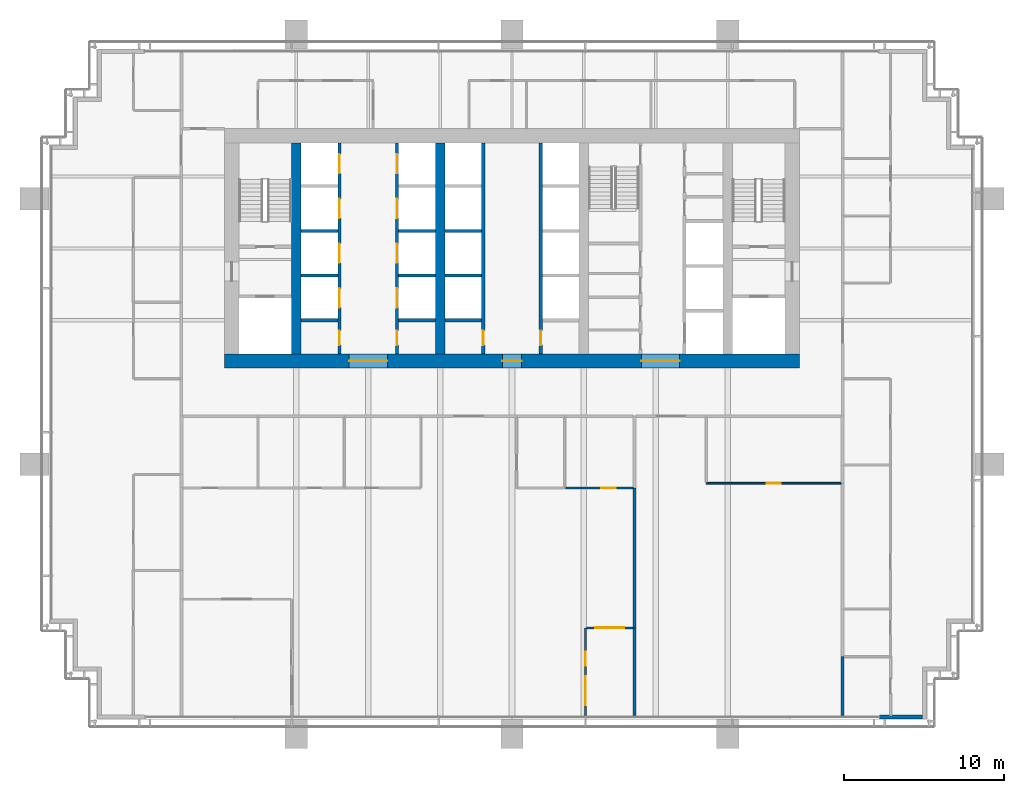
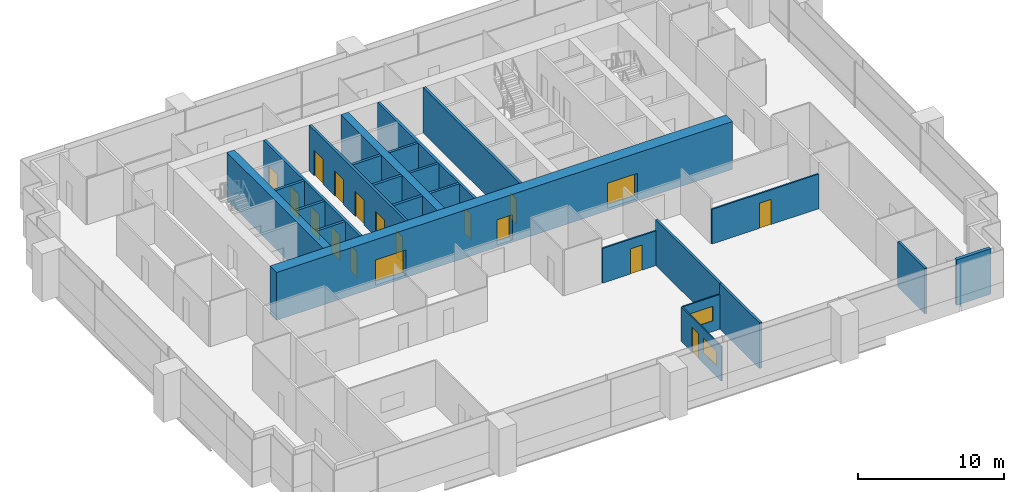
# One storey, part 11 of 18: 24 walls, 18 doors, 2 windows, 20 openings.
"""IFC4 building model written with IfcOpenShell, lengths in metres."""

from ifc_helpers import new_model, si_unit, direction, frame, frame_2d, origin, place, context, subcontext, project, spatial, rectangle, extrude, material, layer, layer_set, type_object, element, fill, save


model = new_model("IFC4")

# Units and contexts
model_context = context("Model", 3, precision=1e-05, world=origin(), true_north=direction((0.0, 1.0)))
body_context = subcontext(model_context, "Body", "Model", "MODEL_VIEW")
ifc_project = project(units=[si_unit("LENGTHUNIT", "METRE"), si_unit("AREAUNIT", "SQUARE_METRE"), si_unit("VOLUMEUNIT", "CUBIC_METRE"), si_unit("PLANEANGLEUNIT", "RADIAN"), si_unit("MASSUNIT", "GRAM", prefix="KILO")], contexts=[model_context])

# Site, building, storey
site_placement = place(None, origin())
site = spatial("IfcSite", under=ifc_project, at=site_placement, CompositionType="ELEMENT")
building_placement = place(site_placement, origin())
building = spatial("IfcBuilding", under=site, at=building_placement, Name="Rattan Terrace Tower", CompositionType="ELEMENT")
storey_placement = place(building_placement, frame((0.0, 0.0, 134.10009765625)))
storey = spatial("IfcBuildingStorey", under=building, at=storey_placement, Name="L30", CompositionType="ELEMENT", Elevation=134.10009765625)

# Wall, openings, doors
ifc_material_1 = material(Name="Concrete C60/75", Category="concrete")
ifc_layer_1 = layer(ifc_material_1, 0.89990234375)
ifc_layer_set_1 = layer_set([ifc_layer_1], Name="Core ring wall 900 C60/75")
wall_type_1 = type_object("IfcWallType", Name="Core ring wall 900 C60/75", PredefinedType="SHEAR", material=ifc_layer_set_1)
wall_1_placement = place(storey_placement, frame((-18.0, -7.050048828125, -0.2001953125), z_axis=(0.0, 0.0, 1.0), x_axis=(1.0, 0.0, 0.0)))
wall_1 = element("IfcWall", 1, at=wall_1_placement, inside=storey, type_object=wall_type_1, Name="Rear core wall south", PredefinedType="SHEAR", context=body_context, shape_type="SweptSolid", body=[
    extrude(rectangle(XDim=36.0, YDim=0.89990234375, at=frame_2d((18.0, 0.0))), origin(), (0.0, 0.0, 1.0), 4.0),
])
opening_1_placement = place(wall_1_placement, frame((7.800048828125, 0.0, 0.199951171875)))
opening_1 = element("IfcOpeningElement", 2, at=opening_1_placement, cuts=wall_1, Name="Opening L30-D007", PredefinedType="OPENING", context=body_context, shape_type="SweptSolid", body=[
    extrude(rectangle(XDim=2.39990234375, YDim=2.10009765625, at=frame_2d((1.199951171875, 1.050048828125))), frame((0.0, 0.46044921875, 0.0), z_axis=(0.0, -1.0, 0.0), x_axis=(1.0, 0.0, 0.0)), (0.0, 0.0, 1.0), 0.9208984375),
])
opening_2_placement = place(wall_1_placement, frame((17.39990234375, 0.0, 0.199951171875)))
opening_2 = element("IfcOpeningElement", 3, at=opening_2_placement, cuts=wall_1, Name="Opening L30-D010", PredefinedType="OPENING", context=body_context, shape_type="SweptSolid", body=[
    extrude(rectangle(XDim=1.199951171875, YDim=2.10009765625, at=frame_2d((0.60009765625, 1.050048828125))), frame((0.0, 0.46044921875, 0.0), z_axis=(0.0, -1.0, 0.0), x_axis=(1.0, 0.0, 0.0)), (0.0, 0.0, 1.0), 0.9208984375),
])
opening_3_placement = place(wall_1_placement, frame((26.10009765625, 0.0, 0.199951171875)))
opening_3 = element("IfcOpeningElement", 4, at=opening_3_placement, cuts=wall_1, Name="Opening L30-D016", PredefinedType="OPENING", context=body_context, shape_type="SweptSolid", body=[
    extrude(rectangle(XDim=2.39990234375, YDim=2.10009765625, at=frame_2d((1.199951171875, 1.050048828125))), frame((0.0, 0.46044921875, 0.0), z_axis=(0.0, -1.0, 0.0), x_axis=(1.0, 0.0, 0.0)), (0.0, 0.0, 1.0), 0.9208984375),
])
ifc_material_2 = material(Name="Hollow-metal fire door leaf")
door_type_1 = type_object("IfcDoorType", Name="Core lift lobby door 2400", OperationType="NOTDEFINED", PredefinedType="DOOR", material=ifc_material_2)
door_1_placement = place(opening_1_placement, origin())
door_1 = element("IfcDoor", 5, at=door_1_placement, inside=storey, type_object=door_type_1, Name="Door L30-D007", OperationType="DOUBLE_DOOR_DOUBLE_SWING", OverallHeight=2.10009765625, OverallWidth=2.39990234375, PredefinedType="DOOR", context=body_context, shape_type="SweptSolid", body=[
    extrude(rectangle(XDim=2.39990234375, YDim=2.10009765625, at=frame_2d((1.199951171875, 1.050048828125))), frame((0.0, 0.02490234375, 0.0), z_axis=(0.0, -1.0, 0.0), x_axis=(1.0, 0.0, 0.0)), (0.0, 0.0, 1.0), 0.050048828125),
])
fill(opening_1, door_1)
door_2_placement = place(opening_3_placement, origin())
door_2 = element("IfcDoor", 6, at=door_2_placement, inside=storey, type_object=door_type_1, Name="Door L30-D016", OperationType="DOUBLE_DOOR_DOUBLE_SWING", OverallHeight=2.10009765625, OverallWidth=2.39990234375, PredefinedType="DOOR", context=body_context, shape_type="SweptSolid", body=[
    extrude(rectangle(XDim=2.39990234375, YDim=2.10009765625, at=frame_2d((1.199951171875, 1.050048828125))), frame((0.0, 0.02490234375, 0.0), z_axis=(0.0, -1.0, 0.0), x_axis=(1.0, 0.0, 0.0)), (0.0, 0.0, 1.0), 0.050048828125),
])
fill(opening_3, door_2)
ifc_material_3 = material(Name="Hollow-metal fire door leaf")
door_type_2 = type_object("IfcDoorType", Name="Core riser door 1200", OperationType="NOTDEFINED", PredefinedType="DOOR", material=ifc_material_3)
door_3_placement = place(opening_2_placement, origin())
door_3 = element("IfcDoor", 7, at=door_3_placement, inside=storey, type_object=door_type_2, Name="Door L30-D010", OperationType="SINGLE_SWING_LEFT", OverallHeight=2.10009765625, OverallWidth=1.199951171875, PredefinedType="DOOR", context=body_context, shape_type="SweptSolid", body=[
    extrude(rectangle(XDim=1.199951171875, YDim=2.10009765625, at=frame_2d((0.60009765625, 1.050048828125))), frame((0.0, 0.02490234375, 0.0), z_axis=(0.0, -1.0, 0.0), x_axis=(1.0, 0.0, 0.0)), (0.0, 0.0, 1.0), 0.050048828125),
])
fill(opening_2, door_3)

# Walls
ifc_material_4 = material(Name="Concrete C60/75", Category="concrete")
ifc_layer_2 = layer(ifc_material_4, 0.60009765625)
ifc_layer_set_2 = layer_set([ifc_layer_2], Name="Core spine wall 600 C60/75")
wall_type_2 = type_object("IfcWallType", Name="Core spine wall 600 C60/75", PredefinedType="SHEAR", material=ifc_layer_set_2)
for number, where, z_axis, x_axis, name in (
    (8, (-13.5, -6.60009765625, -0.2001953125), (0.0, 0.0, 1.0), (0.0, 1.0, 0.0), "Core spine wall 1"),
    (9, (-4.5, -6.60009765625, -0.2001953125), (0.0, 0.0, 1.0), (0.0, 1.0, 0.0), "Core spine wall 2"),
):
    element("IfcWall", number, at=place(storey_placement, frame(where, z_axis=z_axis, x_axis=x_axis)), inside=storey, type_object=wall_type_2, Name=name, PredefinedType="SHEAR", context=body_context, shape_type="SweptSolid", body=[
        extrude(rectangle(XDim=13.2001953125, YDim=0.60009765625, at=frame_2d((6.60009765625, 0.0))), origin(), (0.0, 0.0, 1.0), 4.0),
    ])
ifc_material_5 = material(Name="Insulated aluminium-clad stud wall", Category="aluminium")
ifc_layer_3 = layer(ifc_material_5, 0.25)
ifc_layer_set_3 = layer_set([ifc_layer_3], Name="Facade Riser Wall 250")
wall_type_3 = type_object("IfcWallType", Name="Facade Riser Wall 250", PredefinedType="SOLIDWALL", material=ifc_layer_set_3)
wall_2_placement = place(storey_placement, frame((23.0, -29.330078125, 0.0), z_axis=(0.0, 0.0, 1.0), x_axis=(1.0, 0.0, 0.0)))
element("IfcWall", 10, at=wall_2_placement, inside=storey, type_object=wall_type_3, Name="Riser wall L30-1", PredefinedType="SOLIDWALL", context=body_context, shape_type="SweptSolid", body=[
    extrude(rectangle(XDim=2.705078125, YDim=0.25, at=frame_2d((1.3525390625, 0.0))), origin(), (0.0, 0.0, 1.0), 3.7998046875),
])
ifc_material_6 = material(Name="Double steel stud acoustic partition, gypsum board, mineral wool, fire rated", Category="steel")
ifc_layer_4 = layer(ifc_material_6, 0.179931640625)
ifc_layer_set_4 = layer_set([ifc_layer_4], Name="Floors Acoustic Party Wall 180")
wall_type_4 = type_object("IfcWallType", Name="Floors Acoustic Party Wall 180", PredefinedType="PARTITIONING", material=ifc_layer_set_4)
wall_3_placement = place(storey_placement, frame((7.6669921875, -15.0, 0.0), z_axis=(0.0, 0.0, 1.0), x_axis=(0.0, -1.0, 0.0)))
element("IfcWall", 11, at=wall_3_placement, inside=storey, type_object=wall_type_4, Name="pt-L30-049", PredefinedType="PARTITIONING", context=body_context, shape_type="SweptSolid", body=[
    extrude(rectangle(XDim=8.760009765625, YDim=0.179931640625, at=frame_2d((4.3798828125, 0.0))), origin(), (0.0, 0.0, 1.0), 3.7998046875),
])
wall_4_placement = place(storey_placement, frame((7.6669921875, -23.760009765625, 0.0), z_axis=(0.0, 0.0, 1.0), x_axis=(0.0, -1.0, 0.0)))
element("IfcWall", 12, at=wall_4_placement, inside=storey, type_object=wall_type_4, Name="pt-L30-050", PredefinedType="PARTITIONING", context=body_context, shape_type="SweptSolid", body=[
    extrude(rectangle(XDim=5.47998046875, YDim=0.179931640625, at=frame_2d((2.739990234375, 0.0))), origin(), (0.0, 0.0, 1.0), 3.7998046875),
])
wall_5_placement = place(storey_placement, frame((20.699951171875, -25.5400390625, 0.0), z_axis=(0.0, 0.0, 1.0), x_axis=(0.0, -1.0, 0.0)))
element("IfcWall", 13, at=wall_5_placement, inside=storey, type_object=wall_type_4, Name="pt-L30-057", PredefinedType="PARTITIONING", context=body_context, shape_type="SweptSolid", body=[
    extrude(rectangle(XDim=3.699951171875, YDim=0.179931640625, at=frame_2d((1.85009765625, 0.0))), origin(), (0.0, 0.0, 1.0), 3.7998046875),
])

# Wall, openings, door, window
ifc_material_7 = material(Name="Gypsum board partition on steel studs", Category="steel")
ifc_layer_5 = layer(ifc_material_7, 0.10009765625)
ifc_layer_set_5 = layer_set([ifc_layer_5], Name="Floors Partition 100")
wall_type_5 = type_object("IfcWallType", Name="Floors Partition 100", PredefinedType="PARTITIONING", material=ifc_layer_set_5)
wall_6_placement = place(storey_placement, frame((4.60009765625, -23.760009765625, 0.0), z_axis=(0.0, 0.0, 1.0), x_axis=(0.0, -1.0, 0.0)))
wall_6 = element("IfcWall", 14, at=wall_6_placement, inside=storey, type_object=wall_type_5, Name="pt-L30-038", PredefinedType="PARTITIONING", context=body_context, shape_type="SweptSolid", body=[
    extrude(rectangle(XDim=5.47998046875, YDim=0.10009765625, at=frame_2d((2.739990234375, 0.0))), origin(), (0.0, 0.0, 1.0), 2.89990234375),
])
opening_4_placement = place(wall_6_placement, frame((1.47412109375, 0.0, 0.0)))
opening_4 = element("IfcOpeningElement", 15, at=opening_4_placement, cuts=wall_6, Name="Opening L30-D107", PredefinedType="OPENING", context=body_context, shape_type="SweptSolid", body=[
    extrude(rectangle(XDim=0.89990234375, YDim=2.10009765625, at=frame_2d((0.449951171875, 1.050048828125))), frame((0.0, 0.060546875, 0.0), z_axis=(0.0, -1.0, 0.0), x_axis=(1.0, 0.0, 0.0)), (0.0, 0.0, 1.0), 0.12109375),
])
opening_5_placement = place(wall_6_placement, frame((3.027099609375, 0.0, 0.89990234375)))
opening_5 = element("IfcOpeningElement", 16, at=opening_5_placement, cuts=wall_6, Name="Opening L30-W100", PredefinedType="OPENING", context=body_context, shape_type="SweptSolid", body=[
    extrude(rectangle(XDim=1.800048828125, YDim=1.199951171875, at=frame_2d((0.89990234375, 0.60009765625))), frame((0.0, 0.060546875, 0.0), z_axis=(0.0, -1.0, 0.0), x_axis=(1.0, 0.0, 0.0)), (0.0, 0.0, 1.0), 0.12109375),
])
ifc_material_8 = material(Name="Solid core timber door, painted", Category="wood")
door_type_3 = type_object("IfcDoorType", Name="Floors Door 900x2100", OperationType="NOTDEFINED", PredefinedType="DOOR", material=ifc_material_8)
door_4_placement = place(opening_4_placement, origin())
door_4 = element("IfcDoor", 17, at=door_4_placement, inside=storey, type_object=door_type_3, Name="d-L30-107", OperationType="SINGLE_SWING_LEFT", OverallHeight=2.10009765625, OverallWidth=0.89990234375, PredefinedType="DOOR", context=body_context, shape_type="SweptSolid", body=[
    extrude(rectangle(XDim=0.89990234375, YDim=2.10009765625, at=frame_2d((0.449951171875, 1.050048828125))), frame((0.0, 0.02490234375, 0.0), z_axis=(0.0, -1.0, 0.0), x_axis=(1.0, 0.0, 0.0)), (0.0, 0.0, 1.0), 0.050048828125),
])
fill(opening_4, door_4)
ifc_material_9 = material(Name="Glass, clear, fixed in aluminium frame", Category="aluminium")
window_type = type_object("IfcWindowType", Name="Interior Vision Window 1800x1200", PartitioningType="SINGLE_PANEL", PredefinedType="WINDOW", material=ifc_material_9)
window_1_placement = place(opening_5_placement, origin())
window_1 = element("IfcWindow", 18, at=window_1_placement, inside=storey, type_object=window_type, Name="w-L30-100", OverallHeight=1.199951171875, OverallWidth=1.800048828125, PartitioningType="SINGLE_PANEL", PredefinedType="WINDOW", context=body_context, shape_type="SweptSolid", body=[
    extrude(rectangle(XDim=1.800048828125, YDim=1.199951171875, at=frame_2d((0.89990234375, 0.60009765625))), frame((0.0, 0.030029296875, 0.0), z_axis=(0.0, -1.0, 0.0), x_axis=(1.0, 0.0, 0.0)), (0.0, 0.0, 1.0), 0.06005859375),
])
fill(opening_5, window_1)

# Wall, opening, window
wall_7_placement = place(storey_placement, frame((7.576904296875, -23.760009765625, 0.0), z_axis=(0.0, 0.0, 1.0), x_axis=(-1.0, 0.0, 0.0)))
wall_7 = element("IfcWall", 19, at=wall_7_placement, inside=storey, type_object=wall_type_5, Name="pt-L30-039", PredefinedType="PARTITIONING", context=body_context, shape_type="SweptSolid", body=[
    extrude(rectangle(XDim=2.927001953125, YDim=0.10009765625, at=frame_2d((1.46337890625, 0.0))), origin(), (0.0, 0.0, 1.0), 2.89990234375),
])
opening_6_placement = place(wall_7_placement, frame((0.56396484375, 0.0, 0.89990234375)))
opening_6 = element("IfcOpeningElement", 20, at=opening_6_placement, cuts=wall_7, Name="Opening L30-W101", PredefinedType="OPENING", context=body_context, shape_type="SweptSolid", body=[
    extrude(rectangle(XDim=1.800048828125, YDim=1.199951171875, at=frame_2d((0.89990234375, 0.60009765625))), frame((0.0, 0.060546875, 0.0), z_axis=(0.0, -1.0, 0.0), x_axis=(1.0, 0.0, 0.0)), (0.0, 0.0, 1.0), 0.12109375),
])
window_2_placement = place(opening_6_placement, origin())
window_2 = element("IfcWindow", 21, at=window_2_placement, inside=storey, type_object=window_type, Name="w-L30-101", OverallHeight=1.199951171875, OverallWidth=1.800048828125, PartitioningType="SINGLE_PANEL", PredefinedType="WINDOW", context=body_context, shape_type="SweptSolid", body=[
    extrude(rectangle(XDim=1.800048828125, YDim=1.199951171875, at=frame_2d((0.89990234375, 0.60009765625))), frame((0.0, 0.030029296875, 0.0), z_axis=(0.0, -1.0, 0.0), x_axis=(1.0, 0.0, 0.0)), (0.0, 0.0, 1.0), 0.06005859375),
])
fill(opening_6, window_2)

# Wall, opening, door
ifc_material_10 = material(Name="Moisture resistant gypsum board partition on steel studs with service cavity", Category="steel")
ifc_layer_6 = layer(ifc_material_10, 0.1201171875)
ifc_layer_set_6 = layer_set([ifc_layer_6], Name="Floors Wet Wall 120")
wall_type_6 = type_object("IfcWallType", Name="Floors Wet Wall 120", PredefinedType="PARTITIONING", material=ifc_layer_set_6)
wall_8_placement = place(storey_placement, frame((3.360107421875, -15.0, 0.0), z_axis=(0.0, 0.0, 1.0), x_axis=(1.0, 0.0, 0.0)))
wall_8 = element("IfcWall", 22, at=wall_8_placement, inside=storey, type_object=wall_type_6, Name="pt-L30-048", PredefinedType="PARTITIONING", context=body_context, shape_type="SweptSolid", body=[
    extrude(rectangle(XDim=4.216796875, YDim=0.1201171875, at=frame_2d((2.1083984375, 0.0))), origin(), (0.0, 0.0, 1.0), 2.89990234375),
])
opening_7_placement = place(wall_8_placement, frame((2.221923828125, 0.0, 0.0)))
opening_7 = element("IfcOpeningElement", 23, at=opening_7_placement, cuts=wall_8, Name="Opening L30-D113", PredefinedType="OPENING", context=body_context, shape_type="SweptSolid", body=[
    extrude(rectangle(XDim=0.89990234375, YDim=2.10009765625, at=frame_2d((0.449951171875, 1.050048828125))), frame((0.0, 0.070556640625, 0.0), z_axis=(0.0, -1.0, 0.0), x_axis=(1.0, 0.0, 0.0)), (0.0, 0.0, 1.0), 0.14111328125),
])
door_5_placement = place(opening_7_placement, origin())
door_5 = element("IfcDoor", 24, at=door_5_placement, inside=storey, type_object=door_type_3, Name="d-L30-113", OperationType="SINGLE_SWING_RIGHT", OverallHeight=2.10009765625, OverallWidth=0.89990234375, PredefinedType="DOOR", context=body_context, shape_type="SweptSolid", body=[
    extrude(rectangle(XDim=0.89990234375, YDim=2.10009765625, at=frame_2d((0.449951171875, 1.050048828125))), frame((0.0, 0.02490234375, 0.0), z_axis=(0.0, -1.0, 0.0), x_axis=(1.0, 0.0, 0.0)), (0.0, 0.0, 1.0), 0.050048828125),
])
fill(opening_7, door_5)

wall_9_placement = place(storey_placement, frame((12.1669921875, -14.699951171875, 0.0), z_axis=(0.0, 0.0, 1.0), x_axis=(1.0, 0.0, 0.0)))
wall_9 = element("IfcWall", 25, at=wall_9_placement, inside=storey, type_object=wall_type_6, Name="pt-L30-056", PredefinedType="PARTITIONING", context=body_context, shape_type="SweptSolid", body=[
    extrude(rectangle(XDim=8.443115234375, YDim=0.1201171875, at=frame_2d((4.2216796875, 0.0))), origin(), (0.0, 0.0, 1.0), 2.89990234375),
])
opening_8_placement = place(wall_9_placement, frame((3.77099609375, 0.0, 0.0)))
opening_8 = element("IfcOpeningElement", 26, at=opening_8_placement, cuts=wall_9, Name="Opening L30-D115", PredefinedType="OPENING", context=body_context, shape_type="SweptSolid", body=[
    extrude(rectangle(XDim=0.89990234375, YDim=2.10009765625, at=frame_2d((0.449951171875, 1.050048828125))), frame((0.0, 0.070556640625, 0.0), z_axis=(0.0, -1.0, 0.0), x_axis=(1.0, 0.0, 0.0)), (0.0, 0.0, 1.0), 0.14111328125),
])
door_6_placement = place(opening_8_placement, origin())
door_6 = element("IfcDoor", 27, at=door_6_placement, inside=storey, type_object=door_type_3, Name="d-L30-115", OperationType="SINGLE_SWING_RIGHT", OverallHeight=2.10009765625, OverallWidth=0.89990234375, PredefinedType="DOOR", context=body_context, shape_type="SweptSolid", body=[
    extrude(rectangle(XDim=0.89990234375, YDim=2.10009765625, at=frame_2d((0.449951171875, 1.050048828125))), frame((0.0, 0.02490234375, 0.0), z_axis=(0.0, -1.0, 0.0), x_axis=(1.0, 0.0, 0.0)), (0.0, 0.0, 1.0), 0.050048828125),
])
fill(opening_8, door_6)

# Wall, openings, doors
ifc_material_11 = material(Name="Gypsum shaft wall system")
ifc_layer_7 = layer(ifc_material_11, 0.199951171875)
ifc_layer_set_7 = layer_set([ifc_layer_7], Name="Lift shaft wall 200")
wall_type_7 = type_object("IfcWallType", Name="Lift shaft wall 200", PredefinedType="PARTITIONING", material=ifc_layer_set_7)
wall_10_placement = place(storey_placement, frame((-10.800048828125, -6.60009765625, 0.0), z_axis=(0.0, 0.0, 1.0), x_axis=(0.0, 1.0, 0.0)))
wall_10 = element("IfcWall", 28, at=wall_10_placement, inside=storey, type_object=wall_type_7, Name="Lift shaft front wall", PredefinedType="PARTITIONING", context=body_context, shape_type="SweptSolid", body=[
    extrude(rectangle(XDim=13.2001953125, YDim=0.199951171875, at=frame_2d((6.60009765625, 0.0))), origin(), (0.0, 0.0, 1.0), 3.7998046875),
])
opening_9_placement = place(wall_10_placement, frame((0.550048828125, 0.0, 0.0)))
opening_9 = element("IfcOpeningElement", 29, at=opening_9_placement, cuts=wall_10, Name="Opening L30-D005", PredefinedType="OPENING", context=body_context, shape_type="SweptSolid", body=[
    extrude(rectangle(XDim=0.89990234375, YDim=2.10009765625, at=frame_2d((0.449951171875, 1.050048828125))), frame((0.0, 0.110595703125, 0.0), z_axis=(0.0, -1.0, 0.0), x_axis=(1.0, 0.0, 0.0)), (0.0, 0.0, 1.0), 0.220947265625),
])
opening_10_placement = place(wall_10_placement, frame((2.89990234375, 0.0, 0.0)))
opening_10 = element("IfcOpeningElement", 30, at=opening_10_placement, cuts=wall_10, Name="Opening L30-LD-LR1", PredefinedType="OPENING", context=body_context, shape_type="SweptSolid", body=[
    extrude(rectangle(XDim=1.199951171875, YDim=2.10009765625, at=frame_2d((0.60009765625, 1.050048828125))), frame((0.0, 0.110595703125, 0.0), z_axis=(0.0, -1.0, 0.0), x_axis=(1.0, 0.0, 0.0)), (0.0, 0.0, 1.0), 0.220947265625),
])
opening_11_placement = place(wall_10_placement, frame((5.699951171875, 0.0, 0.0)))
opening_11 = element("IfcOpeningElement", 31, at=opening_11_placement, cuts=wall_10, Name="Opening L30-LD-LR2", PredefinedType="OPENING", context=body_context, shape_type="SweptSolid", body=[
    extrude(rectangle(XDim=1.199951171875, YDim=2.10009765625, at=frame_2d((0.60009765625, 1.050048828125))), frame((0.0, 0.110595703125, 0.0), z_axis=(0.0, -1.0, 0.0), x_axis=(1.0, 0.0, 0.0)), (0.0, 0.0, 1.0), 0.220947265625),
])
opening_12_placement = place(wall_10_placement, frame((8.5, 0.0, 0.0)))
opening_12 = element("IfcOpeningElement", 32, at=opening_12_placement, cuts=wall_10, Name="Opening L30-LD-LR3", PredefinedType="OPENING", context=body_context, shape_type="SweptSolid", body=[
    extrude(rectangle(XDim=1.199951171875, YDim=2.10009765625, at=frame_2d((0.60009765625, 1.050048828125))), frame((0.0, 0.110595703125, 0.0), z_axis=(0.0, -1.0, 0.0), x_axis=(1.0, 0.0, 0.0)), (0.0, 0.0, 1.0), 0.220947265625),
])
opening_13_placement = place(wall_10_placement, frame((11.300048828125, 0.0, 0.0)))
opening_13 = element("IfcOpeningElement", 33, at=opening_13_placement, cuts=wall_10, Name="Opening L30-LD-LR4", PredefinedType="OPENING", context=body_context, shape_type="SweptSolid", body=[
    extrude(rectangle(XDim=1.199951171875, YDim=2.10009765625, at=frame_2d((0.60009765625, 1.050048828125))), frame((0.0, 0.110595703125, 0.0), z_axis=(0.0, -1.0, 0.0), x_axis=(1.0, 0.0, 0.0)), (0.0, 0.0, 1.0), 0.220947265625),
])
ifc_material_12 = material(Name="Brushed stainless landing door panel")
door_type_4 = type_object("IfcDoorType", Name="Core lift landing door 1200", OperationType="DOUBLE_DOOR_SLIDING", PredefinedType="DOOR", material=ifc_material_12)
door_7_placement = place(opening_10_placement, origin())
door_7 = element("IfcDoor", 34, at=door_7_placement, inside=storey, type_object=door_type_4, Name="Door L30-LD-LR1", OperationType="DOUBLE_DOOR_SLIDING", OverallHeight=2.10009765625, OverallWidth=1.199951171875, PredefinedType="DOOR", context=body_context, shape_type="SweptSolid", body=[
    extrude(rectangle(XDim=1.199951171875, YDim=2.10009765625, at=frame_2d((0.60009765625, 1.050048828125))), frame((0.0, 0.02490234375, 0.0), z_axis=(0.0, -1.0, 0.0), x_axis=(1.0, 0.0, 0.0)), (0.0, 0.0, 1.0), 0.050048828125),
])
fill(opening_10, door_7)
door_8_placement = place(opening_11_placement, origin())
door_8 = element("IfcDoor", 35, at=door_8_placement, inside=storey, type_object=door_type_4, Name="Door L30-LD-LR2", OperationType="DOUBLE_DOOR_SLIDING", OverallHeight=2.10009765625, OverallWidth=1.199951171875, PredefinedType="DOOR", context=body_context, shape_type="SweptSolid", body=[
    extrude(rectangle(XDim=1.199951171875, YDim=2.10009765625, at=frame_2d((0.60009765625, 1.050048828125))), frame((0.0, 0.02490234375, 0.0), z_axis=(0.0, -1.0, 0.0), x_axis=(1.0, 0.0, 0.0)), (0.0, 0.0, 1.0), 0.050048828125),
])
fill(opening_11, door_8)
door_9_placement = place(opening_12_placement, origin())
door_9 = element("IfcDoor", 36, at=door_9_placement, inside=storey, type_object=door_type_4, Name="Door L30-LD-LR3", OperationType="DOUBLE_DOOR_SLIDING", OverallHeight=2.10009765625, OverallWidth=1.199951171875, PredefinedType="DOOR", context=body_context, shape_type="SweptSolid", body=[
    extrude(rectangle(XDim=1.199951171875, YDim=2.10009765625, at=frame_2d((0.60009765625, 1.050048828125))), frame((0.0, 0.02490234375, 0.0), z_axis=(0.0, -1.0, 0.0), x_axis=(1.0, 0.0, 0.0)), (0.0, 0.0, 1.0), 0.050048828125),
])
fill(opening_12, door_9)
door_10_placement = place(opening_13_placement, origin())
door_10 = element("IfcDoor", 37, at=door_10_placement, inside=storey, type_object=door_type_4, Name="Door L30-LD-LR4", OperationType="DOUBLE_DOOR_SLIDING", OverallHeight=2.10009765625, OverallWidth=1.199951171875, PredefinedType="DOOR", context=body_context, shape_type="SweptSolid", body=[
    extrude(rectangle(XDim=1.199951171875, YDim=2.10009765625, at=frame_2d((0.60009765625, 1.050048828125))), frame((0.0, 0.02490234375, 0.0), z_axis=(0.0, -1.0, 0.0), x_axis=(1.0, 0.0, 0.0)), (0.0, 0.0, 1.0), 0.050048828125),
])
fill(opening_13, door_10)
ifc_material_13 = material(Name="Hollow-metal fire door leaf")
door_type_5 = type_object("IfcDoorType", Name="Core riser door 900", OperationType="NOTDEFINED", PredefinedType="DOOR", material=ifc_material_13)
door_11_placement = place(opening_9_placement, origin())
door_11 = element("IfcDoor", 38, at=door_11_placement, inside=storey, type_object=door_type_5, Name="Door L30-D005", OperationType="SINGLE_SWING_LEFT", OverallHeight=2.10009765625, OverallWidth=0.89990234375, PredefinedType="DOOR", context=body_context, shape_type="SweptSolid", body=[
    extrude(rectangle(XDim=0.89990234375, YDim=2.10009765625, at=frame_2d((0.449951171875, 1.050048828125))), frame((0.0, 0.02490234375, 0.0), z_axis=(0.0, -1.0, 0.0), x_axis=(1.0, 0.0, 0.0)), (0.0, 0.0, 1.0), 0.050048828125),
])
fill(opening_9, door_11)

wall_11_placement = place(storey_placement, frame((-7.199951171875, -6.60009765625, 0.0), z_axis=(0.0, 0.0, 1.0), x_axis=(0.0, 1.0, 0.0)))
wall_11 = element("IfcWall", 39, at=wall_11_placement, inside=storey, type_object=wall_type_7, Name="Lift shaft front wall", PredefinedType="PARTITIONING", context=body_context, shape_type="SweptSolid", body=[
    extrude(rectangle(XDim=13.2001953125, YDim=0.199951171875, at=frame_2d((6.60009765625, 0.0))), origin(), (0.0, 0.0, 1.0), 3.7998046875),
])
opening_14_placement = place(wall_11_placement, frame((0.550048828125, 0.0, 0.0)))
opening_14 = element("IfcOpeningElement", 40, at=opening_14_placement, cuts=wall_11, Name="Opening L30-D006", PredefinedType="OPENING", context=body_context, shape_type="SweptSolid", body=[
    extrude(rectangle(XDim=0.89990234375, YDim=2.10009765625, at=frame_2d((0.449951171875, 1.050048828125))), frame((0.0, 0.110595703125, 0.0), z_axis=(0.0, -1.0, 0.0), x_axis=(1.0, 0.0, 0.0)), (0.0, 0.0, 1.0), 0.220947265625),
])
opening_15_placement = place(wall_11_placement, frame((2.89990234375, 0.0, 0.0)))
opening_15 = element("IfcOpeningElement", 41, at=opening_15_placement, cuts=wall_11, Name="Opening L30-LD-LR5", PredefinedType="OPENING", context=body_context, shape_type="SweptSolid", body=[
    extrude(rectangle(XDim=1.199951171875, YDim=2.10009765625, at=frame_2d((0.60009765625, 1.050048828125))), frame((0.0, 0.110595703125, 0.0), z_axis=(0.0, -1.0, 0.0), x_axis=(1.0, 0.0, 0.0)), (0.0, 0.0, 1.0), 0.220947265625),
])
opening_16_placement = place(wall_11_placement, frame((5.699951171875, 0.0, 0.0)))
opening_16 = element("IfcOpeningElement", 42, at=opening_16_placement, cuts=wall_11, Name="Opening L30-LD-LR6", PredefinedType="OPENING", context=body_context, shape_type="SweptSolid", body=[
    extrude(rectangle(XDim=1.199951171875, YDim=2.10009765625, at=frame_2d((0.60009765625, 1.050048828125))), frame((0.0, 0.110595703125, 0.0), z_axis=(0.0, -1.0, 0.0), x_axis=(1.0, 0.0, 0.0)), (0.0, 0.0, 1.0), 0.220947265625),
])
opening_17_placement = place(wall_11_placement, frame((8.5, 0.0, 0.0)))
opening_17 = element("IfcOpeningElement", 43, at=opening_17_placement, cuts=wall_11, Name="Opening L30-LD-LR7", PredefinedType="OPENING", context=body_context, shape_type="SweptSolid", body=[
    extrude(rectangle(XDim=1.199951171875, YDim=2.10009765625, at=frame_2d((0.60009765625, 1.050048828125))), frame((0.0, 0.110595703125, 0.0), z_axis=(0.0, -1.0, 0.0), x_axis=(1.0, 0.0, 0.0)), (0.0, 0.0, 1.0), 0.220947265625),
])
opening_18_placement = place(wall_11_placement, frame((11.300048828125, 0.0, 0.0)))
opening_18 = element("IfcOpeningElement", 44, at=opening_18_placement, cuts=wall_11, Name="Opening L30-LD-LR8", PredefinedType="OPENING", context=body_context, shape_type="SweptSolid", body=[
    extrude(rectangle(XDim=1.199951171875, YDim=2.10009765625, at=frame_2d((0.60009765625, 1.050048828125))), frame((0.0, 0.110595703125, 0.0), z_axis=(0.0, -1.0, 0.0), x_axis=(1.0, 0.0, 0.0)), (0.0, 0.0, 1.0), 0.220947265625),
])
door_12_placement = place(opening_15_placement, origin())
door_12 = element("IfcDoor", 45, at=door_12_placement, inside=storey, type_object=door_type_4, Name="Door L30-LD-LR5", OperationType="DOUBLE_DOOR_SLIDING", OverallHeight=2.10009765625, OverallWidth=1.199951171875, PredefinedType="DOOR", context=body_context, shape_type="SweptSolid", body=[
    extrude(rectangle(XDim=1.199951171875, YDim=2.10009765625, at=frame_2d((0.60009765625, 1.050048828125))), frame((0.0, 0.02490234375, 0.0), z_axis=(0.0, -1.0, 0.0), x_axis=(1.0, 0.0, 0.0)), (0.0, 0.0, 1.0), 0.050048828125),
])
fill(opening_15, door_12)
door_13_placement = place(opening_16_placement, origin())
door_13 = element("IfcDoor", 46, at=door_13_placement, inside=storey, type_object=door_type_4, Name="Door L30-LD-LR6", OperationType="DOUBLE_DOOR_SLIDING", OverallHeight=2.10009765625, OverallWidth=1.199951171875, PredefinedType="DOOR", context=body_context, shape_type="SweptSolid", body=[
    extrude(rectangle(XDim=1.199951171875, YDim=2.10009765625, at=frame_2d((0.60009765625, 1.050048828125))), frame((0.0, 0.02490234375, 0.0), z_axis=(0.0, -1.0, 0.0), x_axis=(1.0, 0.0, 0.0)), (0.0, 0.0, 1.0), 0.050048828125),
])
fill(opening_16, door_13)
door_14_placement = place(opening_17_placement, origin())
door_14 = element("IfcDoor", 47, at=door_14_placement, inside=storey, type_object=door_type_4, Name="Door L30-LD-LR7", OperationType="DOUBLE_DOOR_SLIDING", OverallHeight=2.10009765625, OverallWidth=1.199951171875, PredefinedType="DOOR", context=body_context, shape_type="SweptSolid", body=[
    extrude(rectangle(XDim=1.199951171875, YDim=2.10009765625, at=frame_2d((0.60009765625, 1.050048828125))), frame((0.0, 0.02490234375, 0.0), z_axis=(0.0, -1.0, 0.0), x_axis=(1.0, 0.0, 0.0)), (0.0, 0.0, 1.0), 0.050048828125),
])
fill(opening_17, door_14)
door_15_placement = place(opening_18_placement, origin())
door_15 = element("IfcDoor", 48, at=door_15_placement, inside=storey, type_object=door_type_4, Name="Door L30-LD-LR8", OperationType="DOUBLE_DOOR_SLIDING", OverallHeight=2.10009765625, OverallWidth=1.199951171875, PredefinedType="DOOR", context=body_context, shape_type="SweptSolid", body=[
    extrude(rectangle(XDim=1.199951171875, YDim=2.10009765625, at=frame_2d((0.60009765625, 1.050048828125))), frame((0.0, 0.02490234375, 0.0), z_axis=(0.0, -1.0, 0.0), x_axis=(1.0, 0.0, 0.0)), (0.0, 0.0, 1.0), 0.050048828125),
])
fill(opening_18, door_15)
door_16_placement = place(opening_14_placement, origin())
door_16 = element("IfcDoor", 49, at=door_16_placement, inside=storey, type_object=door_type_5, Name="Door L30-D006", OperationType="SINGLE_SWING_RIGHT", OverallHeight=2.10009765625, OverallWidth=0.89990234375, PredefinedType="DOOR", context=body_context, shape_type="SweptSolid", body=[
    extrude(rectangle(XDim=0.89990234375, YDim=2.10009765625, at=frame_2d((0.449951171875, 1.050048828125))), frame((0.0, 0.02490234375, 0.0), z_axis=(0.0, -1.0, 0.0), x_axis=(1.0, 0.0, 0.0)), (0.0, 0.0, 1.0), 0.050048828125),
])
fill(opening_14, door_16)

# Walls
for number, where, z_axis, x_axis, name in (
    (50, (-13.199951171875, -1.699951171875, 0.0), (0.0, 0.0, 1.0), (1.0, 0.0, 0.0), "Lift shaft wall"),
    (51, (-13.199951171875, 1.10009765625, 0.0), (0.0, 0.0, 1.0), (1.0, 0.0, 0.0), "Lift shaft wall"),
    (52, (-13.199951171875, -4.5, 0.0), (0.0, 0.0, 1.0), (1.0, 0.0, 0.0), "Lift shaft wall"),
    (53, (-7.10009765625, -1.699951171875, 0.0), (0.0, 0.0, 1.0), (1.0, 0.0, 0.0), "Lift shaft wall"),
    (54, (-7.10009765625, 1.10009765625, 0.0), (0.0, 0.0, 1.0), (1.0, 0.0, 0.0), "Lift shaft wall"),
    (55, (-7.10009765625, -4.5, 0.0), (0.0, 0.0, 1.0), (1.0, 0.0, 0.0), "Lift shaft wall"),
):
    element("IfcWall", number, at=place(storey_placement, frame(where, z_axis=z_axis, x_axis=x_axis)), inside=storey, type_object=wall_type_7, Name=name, PredefinedType="PARTITIONING", context=body_context, shape_type="SweptSolid", body=[
        extrude(rectangle(XDim=2.300048828125, YDim=0.199951171875, at=frame_2d((1.14990234375, 0.0))), origin(), (0.0, 0.0, 1.0), 3.7998046875),
    ])

# Wall, opening, door
wall_12_placement = place(storey_placement, frame((-1.800048828125, -6.60009765625, 0.0), z_axis=(0.0, 0.0, 1.0), x_axis=(0.0, 1.0, 0.0)))
wall_12 = element("IfcWall", 56, at=wall_12_placement, inside=storey, type_object=wall_type_7, Name="Lift shaft front wall", PredefinedType="PARTITIONING", context=body_context, shape_type="SweptSolid", body=[
    extrude(rectangle(XDim=13.2001953125, YDim=0.199951171875, at=frame_2d((6.60009765625, 0.0))), origin(), (0.0, 0.0, 1.0), 3.7998046875),
])
opening_19_placement = place(wall_12_placement, frame((0.550048828125, 0.0, 0.0)))
opening_19 = element("IfcOpeningElement", 57, at=opening_19_placement, cuts=wall_12, Name="Opening L30-D008", PredefinedType="OPENING", context=body_context, shape_type="SweptSolid", body=[
    extrude(rectangle(XDim=0.89990234375, YDim=2.10009765625, at=frame_2d((0.449951171875, 1.050048828125))), frame((0.0, 0.110595703125, 0.0), z_axis=(0.0, -1.0, 0.0), x_axis=(1.0, 0.0, 0.0)), (0.0, 0.0, 1.0), 0.220947265625),
])
door_17_placement = place(opening_19_placement, origin())
door_17 = element("IfcDoor", 58, at=door_17_placement, inside=storey, type_object=door_type_5, Name="Door L30-D008", OperationType="SINGLE_SWING_LEFT", OverallHeight=2.10009765625, OverallWidth=0.89990234375, PredefinedType="DOOR", context=body_context, shape_type="SweptSolid", body=[
    extrude(rectangle(XDim=0.89990234375, YDim=2.10009765625, at=frame_2d((0.449951171875, 1.050048828125))), frame((0.0, 0.02490234375, 0.0), z_axis=(0.0, -1.0, 0.0), x_axis=(1.0, 0.0, 0.0)), (0.0, 0.0, 1.0), 0.050048828125),
])
fill(opening_19, door_17)

wall_13_placement = place(storey_placement, frame((1.800048828125, -6.60009765625, 0.0), z_axis=(0.0, 0.0, 1.0), x_axis=(0.0, 1.0, 0.0)))
wall_13 = element("IfcWall", 59, at=wall_13_placement, inside=storey, type_object=wall_type_7, Name="Lift shaft front wall", PredefinedType="PARTITIONING", context=body_context, shape_type="SweptSolid", body=[
    extrude(rectangle(XDim=13.2001953125, YDim=0.199951171875, at=frame_2d((6.60009765625, 0.0))), origin(), (0.0, 0.0, 1.0), 3.7998046875),
])
opening_20_placement = place(wall_13_placement, frame((0.550048828125, 0.0, 0.0)))
opening_20 = element("IfcOpeningElement", 60, at=opening_20_placement, cuts=wall_13, Name="Opening L30-D009", PredefinedType="OPENING", context=body_context, shape_type="SweptSolid", body=[
    extrude(rectangle(XDim=0.89990234375, YDim=2.10009765625, at=frame_2d((0.449951171875, 1.050048828125))), frame((0.0, 0.110595703125, 0.0), z_axis=(0.0, -1.0, 0.0), x_axis=(1.0, 0.0, 0.0)), (0.0, 0.0, 1.0), 0.220947265625),
])
door_18_placement = place(opening_20_placement, origin())
door_18 = element("IfcDoor", 61, at=door_18_placement, inside=storey, type_object=door_type_5, Name="Door L30-D009", OperationType="SINGLE_SWING_RIGHT", OverallHeight=2.10009765625, OverallWidth=0.89990234375, PredefinedType="DOOR", context=body_context, shape_type="SweptSolid", body=[
    extrude(rectangle(XDim=0.89990234375, YDim=2.10009765625, at=frame_2d((0.449951171875, 1.050048828125))), frame((0.0, 0.02490234375, 0.0), z_axis=(0.0, -1.0, 0.0), x_axis=(1.0, 0.0, 0.0)), (0.0, 0.0, 1.0), 0.050048828125),
])
fill(opening_20, door_18)

# Walls
for number, where, z_axis, x_axis, name in (
    (62, (-4.199951171875, -1.699951171875, 0.0), (0.0, 0.0, 1.0), (1.0, 0.0, 0.0), "Lift shaft wall"),
    (63, (-4.199951171875, 1.10009765625, 0.0), (0.0, 0.0, 1.0), (1.0, 0.0, 0.0), "Lift shaft wall"),
    (64, (-4.199951171875, -4.5, 0.0), (0.0, 0.0, 1.0), (1.0, 0.0, 0.0), "Lift shaft wall"),
):
    element("IfcWall", number, at=place(storey_placement, frame(where, z_axis=z_axis, x_axis=x_axis)), inside=storey, type_object=wall_type_7, Name=name, PredefinedType="PARTITIONING", context=body_context, shape_type="SweptSolid", body=[
        extrude(rectangle(XDim=2.300048828125, YDim=0.199951171875, at=frame_2d((1.14990234375, 0.0))), origin(), (0.0, 0.0, 1.0), 3.7998046875),
    ])

save(model, "model.ifc")
